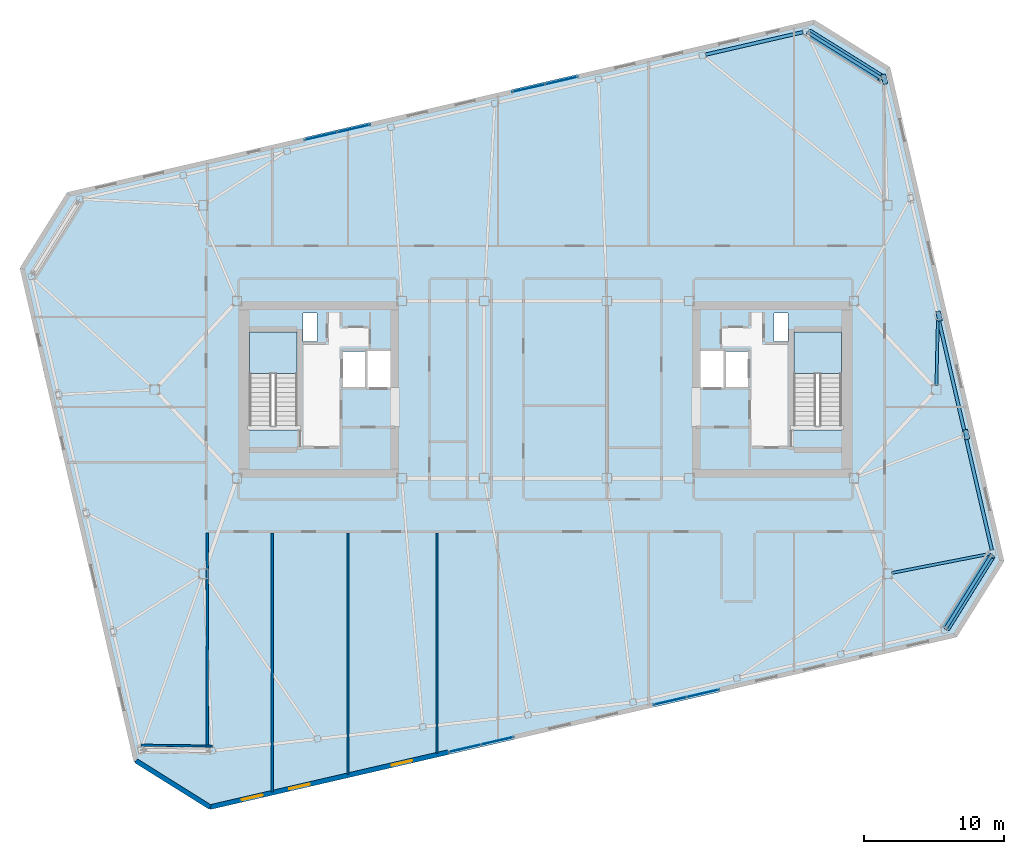
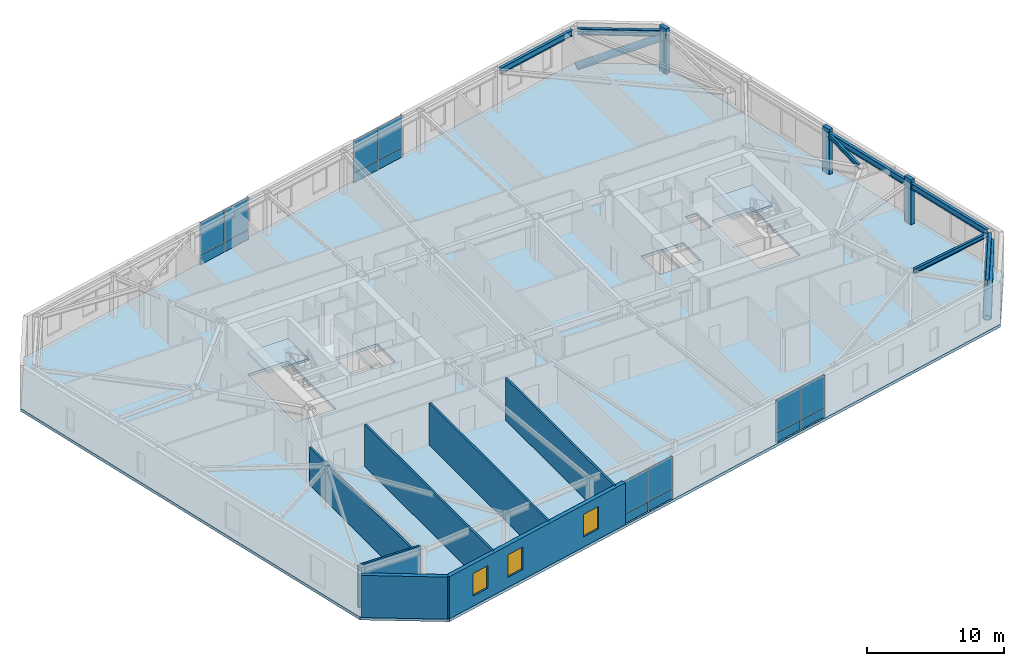
# One storey, part 15 of 23: 16 plates, 7 beams, 7 walls, 5 members, 3 slabs, 3 windows, 3 openings, 6 elements without a shape of their own.
"""IFC4 building model written with IfcOpenShell, lengths in metres."""

from ifc_helpers import new_model, si_unit, direction, frame, frame_2d, origin, origin_2d, place, context, subcontext, project, spatial, polyline, rectangle, hollow_circle, i_section, outline, extrude, material, layer, layer_set, material_profile, profile_set, type_object, element, fill, aggregate, save


model = new_model("IFC4")

# Units and contexts
model_context = context("Model", 3, precision=1e-05, world=origin(), true_north=direction((0.0, 1.0)))
body_context = subcontext(model_context, "Body", "Model", "MODEL_VIEW")
ifc_project = project(units=[si_unit("LENGTHUNIT", "METRE"), si_unit("AREAUNIT", "SQUARE_METRE"), si_unit("VOLUMEUNIT", "CUBIC_METRE"), si_unit("PLANEANGLEUNIT", "RADIAN"), si_unit("MASSUNIT", "GRAM", prefix="KILO")], contexts=[model_context])

# Site, building, storey
site_placement = place(None, origin())
site = spatial("IfcSite", under=ifc_project, at=site_placement, CompositionType="ELEMENT")
building_placement = place(site_placement, origin())
building = spatial("IfcBuilding", under=site, at=building_placement, Name="Tavrogorsk Clinical Tower", CompositionType="ELEMENT")
storey_placement = place(building_placement, frame((0.0, 0.0, 293.0)))
storey = spatial("IfcBuildingStorey", under=building, at=storey_placement, Name="L68", CompositionType="ELEMENT", Elevation=293.0)

# Members
ifc_material_1 = material(Name="Structural steel S440", Category="steel")
ifc_material_profile_1 = material_profile(ifc_material_1, hollow_circle(Radius=0.304931640625, WallThickness=0.02490234375, at=origin_2d()), Name="CHS-610x25")
ifc_profile_set_1 = profile_set([ifc_material_profile_1], Name="Structural steel S440")
member_type_1 = type_object("IfcMemberType", Name="ExoBrace_CHS610", PredefinedType="BRACE", material=ifc_profile_set_1)
for number, where, z_axis, x_axis, name in (
    (1, (28.70166015625, -17.063720703125, 0.393310546875), (0.485685891885, 0.777193135924, 0.40010004236), (-0.848027637525, 0.529952003481, 0.0), "L68 Corner Exoskeleton Brace S8-E1"),
    (2, (18.86279296875, 25.55322265625, 0.393310546875), (0.777221605895, -0.485643868835, 0.400095748531), (0.529905066536, 0.848056967697, 0.0), "L68 Corner Exoskeleton Brace E5-N1"),
):
    element("IfcMember", number, at=place(storey_placement, frame(where, z_axis=z_axis, x_axis=x_axis)), inside=storey, type_object=member_type_1, Name=name, PredefinedType="BRACE", context=body_context, shape_type="SweptSolid", body=[
        extrude(hollow_circle(Radius=0.304931640625, WallThickness=0.02490234375, at=origin_2d()), origin(), (0.0, 0.0, 1.0), 6.63232421875),
    ])

# Beams
ifc_material_2 = material(Name="Structural steel S355", Category="steel")
ifc_material_profile_2 = material_profile(ifc_material_2, i_section(OverallWidth=0.199951171875, OverallDepth=0.39990234375, WebThickness=0.010498046875, FlangeThickness=0.01611328125, at=origin_2d()), Name="B-400x200x10.5x16")
ifc_profile_set_2 = profile_set([ifc_material_profile_2], Name="Structural steel S355")
beam_type_1 = type_object("IfcBeamType", Name="FloorBeam_B400", PredefinedType="BEAM", material=ifc_profile_set_2)
beam_1_placement = place(storey_placement, frame((24.80419921875, -13.140625, 3.5400390625), z_axis=(0.981451198395, 0.191712141424, 0.0), x_axis=(-0.191712141424, 0.981451198395, 0.0)))
element("IfcBeam", 3, at=beam_1_placement, inside=storey, type_object=beam_type_1, Name="L68 Radial Floor Beam E1", PredefinedType="BEAM", context=body_context, shape_type="SweptSolid", body=[
    extrude(i_section(OverallWidth=0.199951171875, OverallDepth=0.39990234375, WebThickness=0.010498046875, FlangeThickness=0.01611328125, at=origin_2d()), origin(), (0.0, 0.0, 1.0), 7.13525390625),
])
beam_2_placement = place(storey_placement, frame((28.0068359375, 0.309814453125, 3.5400390625), z_axis=(0.022370062613, 0.999749758839, 0.0), x_axis=(-0.999749758839, 0.022370062613, 0.0)))
element("IfcBeam", 4, at=beam_2_placement, inside=storey, type_object=beam_type_1, Name="L68 Radial Floor Beam E3", PredefinedType="BEAM", context=body_context, shape_type="SweptSolid", body=[
    extrude(i_section(OverallWidth=0.199951171875, OverallDepth=0.39990234375, WebThickness=0.010498046875, FlangeThickness=0.01611328125, at=origin_2d()), origin(), (0.0, 0.0, 1.0), 4.703857421875),
])

# Members
ifc_material_3 = material(Name="Precast concrete B45 with limestone cladding", Category="masonry")
ifc_material_profile_3 = material_profile(ifc_material_3, rectangle(XDim=0.320068359375, YDim=0.719970703125, at=origin_2d()), Name="LIMESTONE-FIN-320x720")
ifc_profile_set_3 = profile_set([ifc_material_profile_3], Name="Precast concrete B45 with limestone cladding")
member_type_2 = type_object("IfcMemberType", Name="LimestonePleatFin_320x720", PredefinedType="USERDEFINED", material=ifc_profile_set_3)
for number, where, z_axis, x_axis, name in (
    (5, (30.154541015625, -3.223388671875, 0.0), (0.0, 0.0, 1.0), (0.974370064785, 0.224951054344, 0.0), "L68 E Pleated Stone Fin 1"),
    (6, (28.1953125, 5.263427734375, 0.0), (0.0, 0.0, 1.0), (0.974370064785, 0.224951054344, 0.0), "L68 E Pleated Stone Fin 2"),
    (7, (24.276611328125, 22.237060546875, 0.0), (0.0, 0.0, 1.0), (0.974370064785, 0.224951054344, 0.0), "L68 E Pleated Stone Fin 4"),
):
    element("IfcMember", number, at=place(storey_placement, frame(where, z_axis=z_axis, x_axis=x_axis)), inside=storey, type_object=member_type_2, Name=name, ObjectType="FIN", PredefinedType="USERDEFINED", context=body_context, shape_type="SweptSolid", body=[
        extrude(rectangle(XDim=0.320068359375, YDim=0.719970703125, at=origin_2d()), origin(), (0.0, 0.0, 1.0), 4.0),
    ])

# Beams
ifc_material_4 = material(Name="Structural steel S390", Category="steel")
ifc_material_profile_4 = material_profile(ifc_material_4, i_section(OverallWidth=0.239990234375, OverallDepth=0.550048828125, WebThickness=0.013916015625, FlangeThickness=0.02197265625, at=origin_2d()), Name="B-550x240x14x22")
ifc_profile_set_4 = profile_set([ifc_material_profile_4], Name="Structural steel S390")
beam_type_2 = type_object("IfcBeamType", Name="SpandrelBeam_B550", PredefinedType="SPANDREL", material=ifc_profile_set_4)
beam_3_placement = place(storey_placement, frame((28.712158203125, -17.04736328125, 3.465087890625), z_axis=(0.529904457892, 0.848057348006, 0.0), x_axis=(-0.848057348006, 0.529904457892, 0.0)))
element("IfcBeam", 8, at=beam_3_placement, inside=storey, type_object=beam_type_2, Name="L68 Perimeter Spandrel S8-E1", PredefinedType="SPANDREL", context=body_context, shape_type="SweptSolid", body=[
    extrude(i_section(OverallWidth=0.239990234375, OverallDepth=0.550048828125, WebThickness=0.013916015625, FlangeThickness=0.02197265625, at=origin_2d()), origin(), (0.0, 0.0, 1.0), 6.039306640625),
])
for number, where, z_axis, x_axis, name in (
    (9, (31.9833984375, -11.5009765625, 3.465087890625), (-0.224950345141, 0.974370228517, 0.0), (-0.974370228517, -0.224950345141, 0.0), "L68 Perimeter Spandrel E1-E2"),
    (10, (30.024169921875, -3.01416015625, 3.465087890625), (-0.224950345141, 0.974370228517, 0.0), (-0.974370228517, -0.224950345141, 0.0), "L68 Perimeter Spandrel E2-E3"),
):
    element("IfcBeam", number, at=place(storey_placement, frame(where, z_axis=z_axis, x_axis=x_axis)), inside=storey, type_object=beam_type_2, Name=name, PredefinedType="SPANDREL", context=body_context, shape_type="SweptSolid", body=[
        extrude(i_section(OverallWidth=0.239990234375, OverallDepth=0.550048828125, WebThickness=0.013916015625, FlangeThickness=0.02197265625, at=origin_2d()), origin(), (0.0, 0.0, 1.0), 8.243896484375),
    ])
beam_4_placement = place(storey_placement, frame((24.0009765625, 22.342529296875, 3.465087890625), z_axis=(-0.848057348006, 0.529904457892, 0.0), x_axis=(-0.529904457892, -0.848057348006, 0.0)))
element("IfcBeam", 11, at=beam_4_placement, inside=storey, type_object=beam_type_2, Name="L68 Perimeter Spandrel E5-N1", PredefinedType="SPANDREL", context=body_context, shape_type="SweptSolid", body=[
    extrude(i_section(OverallWidth=0.239990234375, OverallDepth=0.550048828125, WebThickness=0.013916015625, FlangeThickness=0.02197265625, at=origin_2d()), origin(), (0.0, 0.0, 1.0), 6.039306640625),
])
beam_5_placement = place(storey_placement, frame((18.45458984375, 25.61376953125, 3.465087890625), z_axis=(-0.974375120167, -0.224929155956, 0.0), x_axis=(0.224929155956, -0.974375120167, 0.0)))
element("IfcBeam", 12, at=beam_5_placement, inside=storey, type_object=beam_type_2, Name="L68 Perimeter Spandrel N1-N2", PredefinedType="SPANDREL", context=body_context, shape_type="SweptSolid", body=[
    extrude(i_section(OverallWidth=0.239990234375, OverallDepth=0.550048828125, WebThickness=0.013916015625, FlangeThickness=0.02197265625, at=origin_2d()), origin(), (0.0, 0.0, 1.0), 7.16796875),
])

# Curtain wall, plates
ifc_material_5 = material(Name="Anodised aluminium and triple IGU glazing", Category="aluminium")
ifc_layer_1 = layer(ifc_material_5, 0.179931640625)
ifc_layer_set_1 = layer_set([ifc_layer_1], Name="Anodised aluminium and triple IGU glazing")
curtain_wall_type_1 = type_object("IfcCurtainWallType", Name="CW3_SouthSlot", PredefinedType="NOTDEFINED", material=ifc_layer_set_1)
curtain_wall_1_placement = place(storey_placement, origin())
curtain_wall_1 = element("IfcCurtainWall", 13, at=curtain_wall_1_placement, inside=storey, type_object=curtain_wall_type_1, Name="L68 Curtain Wall CW-L68-S-SLOT-1", PredefinedType="NOTDEFINED")
ifc_material_6 = material(Name="Honed Podolsk limestone spandrel panel", Category="masonry")
ifc_layer_2 = layer(ifc_material_6, 0.080078125)
ifc_layer_set_2 = layer_set([ifc_layer_2], Name="Honed Podolsk limestone spandrel panel")
plate_type_1 = type_object("IfcPlateType", Name="CwSpandrelStonePanel_80", PredefinedType="CURTAIN_PANEL", material=ifc_layer_set_2)
plate_1_placement = place(storey_placement, frame((-5.810546875, -25.7099609375, 0.001953125), z_axis=(0.0, 0.0, 1.0), x_axis=(0.974370057377, 0.224951086434, 0.0)))
plate_1 = element("IfcPlate", 14, at=plate_1_placement, type_object=plate_type_1, Name="CW-L68-S-SLOT-1 Stone Spandrel Panel 1", PredefinedType="CURTAIN_PANEL", context=body_context, shape_type="SweptSolid", body=[
    extrude(rectangle(XDim=2.39208984375, YDim=0.080078125, at=origin_2d()), origin(), (0.0, 0.0, 1.0), 0.8359375),
])
plate_2_placement = place(storey_placement, frame((-3.45654296875, -25.16650390625, 0.001953125), z_axis=(0.0, 0.0, 1.0), x_axis=(0.974370057377, 0.224951086434, 0.0)))
plate_2 = element("IfcPlate", 15, at=plate_2_placement, type_object=plate_type_1, Name="CW-L68-S-SLOT-1 Stone Spandrel Panel 2", PredefinedType="CURTAIN_PANEL", context=body_context, shape_type="SweptSolid", body=[
    extrude(rectangle(XDim=2.39208984375, YDim=0.080078125, at=origin_2d()), origin(), (0.0, 0.0, 1.0), 0.8359375),
])

curtain_wall_2_placement = place(storey_placement, origin())
curtain_wall_2 = element("IfcCurtainWall", 16, at=curtain_wall_2_placement, inside=storey, type_object=curtain_wall_type_1, Name="L68 Curtain Wall CW-L68-S-SLOT-2", PredefinedType="NOTDEFINED")
plate_3_placement = place(storey_placement, frame((8.9296875, -22.306884765625, 0.001953125), z_axis=(0.0, 0.0, 1.0), x_axis=(0.974370057377, 0.224951086434, 0.0)))
plate_3 = element("IfcPlate", 17, at=plate_3_placement, type_object=plate_type_1, Name="CW-L68-S-SLOT-2 Stone Spandrel Panel 1", PredefinedType="CURTAIN_PANEL", context=body_context, shape_type="SweptSolid", body=[
    extrude(rectangle(XDim=2.39208984375, YDim=0.080078125, at=origin_2d()), origin(), (0.0, 0.0, 1.0), 0.8359375),
])
plate_4_placement = place(storey_placement, frame((11.28369140625, -21.763427734375, 0.001953125), z_axis=(0.0, 0.0, 1.0), x_axis=(0.974370057377, 0.224951086434, 0.0)))
plate_4 = element("IfcPlate", 18, at=plate_4_placement, type_object=plate_type_1, Name="CW-L68-S-SLOT-2 Stone Spandrel Panel 2", PredefinedType="CURTAIN_PANEL", context=body_context, shape_type="SweptSolid", body=[
    extrude(rectangle(XDim=2.39208984375, YDim=0.080078125, at=origin_2d()), origin(), (0.0, 0.0, 1.0), 0.8359375),
])

ifc_material_7 = material(Name="Anodised aluminium and triple IGU glazing", Category="aluminium")
ifc_layer_3 = layer(ifc_material_7, 0.179931640625)
ifc_layer_set_3 = layer_set([ifc_layer_3], Name="Anodised aluminium and triple IGU glazing")
curtain_wall_type_2 = type_object("IfcCurtainWallType", Name="CW2_NorthSlot", PredefinedType="NOTDEFINED", material=ifc_layer_set_3)
curtain_wall_3_placement = place(storey_placement, origin())
curtain_wall_3 = element("IfcCurtainWall", 19, at=curtain_wall_3_placement, inside=storey, type_object=curtain_wall_type_2, Name="L68 Curtain Wall CW-L68-N-SLOT-1", PredefinedType="NOTDEFINED")
plate_5_placement = place(storey_placement, frame((-13.729736328125, 18.70703125, 0.001953125), z_axis=(0.0, 0.0, 1.0), x_axis=(-0.974370057377, -0.224951086434, 0.0)))
plate_5 = element("IfcPlate", 20, at=plate_5_placement, type_object=plate_type_1, Name="CW-L68-N-SLOT-1 Stone Spandrel Panel 1", PredefinedType="CURTAIN_PANEL", context=body_context, shape_type="SweptSolid", body=[
    extrude(rectangle(XDim=2.39208984375, YDim=0.080078125, at=origin_2d()), origin(), (0.0, 0.0, 1.0), 0.8359375),
])
plate_6_placement = place(storey_placement, frame((-16.083740234375, 18.16357421875, 0.001953125), z_axis=(0.0, 0.0, 1.0), x_axis=(-0.974370057377, -0.224951086434, 0.0)))
plate_6 = element("IfcPlate", 21, at=plate_6_placement, type_object=plate_type_1, Name="CW-L68-N-SLOT-1 Stone Spandrel Panel 2", PredefinedType="CURTAIN_PANEL", context=body_context, shape_type="SweptSolid", body=[
    extrude(rectangle(XDim=2.39208984375, YDim=0.080078125, at=origin_2d()), origin(), (0.0, 0.0, 1.0), 0.8359375),
])

curtain_wall_4_placement = place(storey_placement, origin())
curtain_wall_4 = element("IfcCurtainWall", 22, at=curtain_wall_4_placement, inside=storey, type_object=curtain_wall_type_2, Name="L68 Curtain Wall CW-L68-N-SLOT-2", PredefinedType="NOTDEFINED")
plate_7_placement = place(storey_placement, frame((1.1474609375, 22.1416015625, 0.001953125), z_axis=(0.0, 0.0, 1.0), x_axis=(-0.974370092441, -0.224950934554, 0.0)))
plate_7 = element("IfcPlate", 23, at=plate_7_placement, type_object=plate_type_1, Name="CW-L68-N-SLOT-2 Stone Spandrel Panel 1", PredefinedType="CURTAIN_PANEL", context=body_context, shape_type="SweptSolid", body=[
    extrude(rectangle(XDim=2.39208984375, YDim=0.080078125, at=origin_2d()), origin(), (0.0, 0.0, 1.0), 0.8359375),
])
plate_8_placement = place(storey_placement, frame((-1.20654296875, 21.59814453125, 0.001953125), z_axis=(0.0, 0.0, 1.0), x_axis=(-0.974370092441, -0.224950934554, 0.0)))
plate_8 = element("IfcPlate", 24, at=plate_8_placement, type_object=plate_type_1, Name="CW-L68-N-SLOT-2 Stone Spandrel Panel 2", PredefinedType="CURTAIN_PANEL", context=body_context, shape_type="SweptSolid", body=[
    extrude(rectangle(XDim=2.39208984375, YDim=0.080078125, at=origin_2d()), origin(), (0.0, 0.0, 1.0), 0.8359375),
])

# Plate
ifc_material_8 = material(Name="Triple low-E argon insulated glass", Category="glass")
ifc_layer_4 = layer(ifc_material_8, 0.048095703125)
ifc_layer_set_4 = layer_set([ifc_layer_4], Name="Triple low-E argon insulated glass")
plate_type_2 = type_object("IfcPlateType", Name="CwVisionGlassPanel_48", PredefinedType="CURTAIN_PANEL", material=ifc_layer_set_4)
plate_9_placement = place(storey_placement, frame((-5.810546875, -25.7099609375, 0.862060546875), z_axis=(0.0, 0.0, 1.0), x_axis=(0.974370057377, 0.224951086434, 0.0)))
plate_9 = element("IfcPlate", 25, at=plate_9_placement, type_object=plate_type_2, Name="CW-L68-S-SLOT-1 Glazing Panel 1", PredefinedType="CURTAIN_PANEL", context=body_context, shape_type="SweptSolid", body=[
    extrude(rectangle(XDim=2.39208984375, YDim=0.048095703125, at=origin_2d()), origin(), (0.0, 0.0, 1.0), 2.8759765625),
])

plate_10_placement = place(storey_placement, frame((-3.45654296875, -25.16650390625, 0.862060546875), z_axis=(0.0, 0.0, 1.0), x_axis=(0.974370057377, 0.224951086434, 0.0)))
plate_10 = element("IfcPlate", 26, at=plate_10_placement, type_object=plate_type_2, Name="CW-L68-S-SLOT-1 Glazing Panel 2", PredefinedType="CURTAIN_PANEL", context=body_context, shape_type="SweptSolid", body=[
    extrude(rectangle(XDim=2.39208984375, YDim=0.048095703125, at=origin_2d()), origin(), (0.0, 0.0, 1.0), 2.8759765625),
])

aggregate(curtain_wall_1, [plate_1, plate_9, plate_2, plate_10])

plate_11_placement = place(storey_placement, frame((8.9296875, -22.306884765625, 0.862060546875), z_axis=(0.0, 0.0, 1.0), x_axis=(0.974370057377, 0.224951086434, 0.0)))
plate_11 = element("IfcPlate", 27, at=plate_11_placement, type_object=plate_type_2, Name="CW-L68-S-SLOT-2 Glazing Panel 1", PredefinedType="CURTAIN_PANEL", context=body_context, shape_type="SweptSolid", body=[
    extrude(rectangle(XDim=2.39208984375, YDim=0.048095703125, at=origin_2d()), origin(), (0.0, 0.0, 1.0), 2.8759765625),
])

plate_12_placement = place(storey_placement, frame((11.28369140625, -21.763427734375, 0.862060546875), z_axis=(0.0, 0.0, 1.0), x_axis=(0.974370057377, 0.224951086434, 0.0)))
plate_12 = element("IfcPlate", 28, at=plate_12_placement, type_object=plate_type_2, Name="CW-L68-S-SLOT-2 Glazing Panel 2", PredefinedType="CURTAIN_PANEL", context=body_context, shape_type="SweptSolid", body=[
    extrude(rectangle(XDim=2.39208984375, YDim=0.048095703125, at=origin_2d()), origin(), (0.0, 0.0, 1.0), 2.8759765625),
])

aggregate(curtain_wall_2, [plate_3, plate_11, plate_4, plate_12])

plate_13_placement = place(storey_placement, frame((-13.729736328125, 18.70703125, 0.862060546875), z_axis=(0.0, 0.0, 1.0), x_axis=(-0.974370057377, -0.224951086434, 0.0)))
plate_13 = element("IfcPlate", 29, at=plate_13_placement, type_object=plate_type_2, Name="CW-L68-N-SLOT-1 Glazing Panel 1", PredefinedType="CURTAIN_PANEL", context=body_context, shape_type="SweptSolid", body=[
    extrude(rectangle(XDim=2.39208984375, YDim=0.048095703125, at=origin_2d()), origin(), (0.0, 0.0, 1.0), 2.8759765625),
])

plate_14_placement = place(storey_placement, frame((-16.083740234375, 18.16357421875, 0.862060546875), z_axis=(0.0, 0.0, 1.0), x_axis=(-0.974370057377, -0.224951086434, 0.0)))
plate_14 = element("IfcPlate", 30, at=plate_14_placement, type_object=plate_type_2, Name="CW-L68-N-SLOT-1 Glazing Panel 2", PredefinedType="CURTAIN_PANEL", context=body_context, shape_type="SweptSolid", body=[
    extrude(rectangle(XDim=2.39208984375, YDim=0.048095703125, at=origin_2d()), origin(), (0.0, 0.0, 1.0), 2.8759765625),
])

aggregate(curtain_wall_3, [plate_5, plate_13, plate_6, plate_14])

plate_15_placement = place(storey_placement, frame((1.1474609375, 22.1416015625, 0.862060546875), z_axis=(0.0, 0.0, 1.0), x_axis=(-0.974370092441, -0.224950934554, 0.0)))
plate_15 = element("IfcPlate", 31, at=plate_15_placement, type_object=plate_type_2, Name="CW-L68-N-SLOT-2 Glazing Panel 1", PredefinedType="CURTAIN_PANEL", context=body_context, shape_type="SweptSolid", body=[
    extrude(rectangle(XDim=2.39208984375, YDim=0.048095703125, at=origin_2d()), origin(), (0.0, 0.0, 1.0), 2.8759765625),
])

plate_16_placement = place(storey_placement, frame((-1.20654296875, 21.59814453125, 0.862060546875), z_axis=(0.0, 0.0, 1.0), x_axis=(-0.974370092441, -0.224950934554, 0.0)))
plate_16 = element("IfcPlate", 32, at=plate_16_placement, type_object=plate_type_2, Name="CW-L68-N-SLOT-2 Glazing Panel 2", PredefinedType="CURTAIN_PANEL", context=body_context, shape_type="SweptSolid", body=[
    extrude(rectangle(XDim=2.39208984375, YDim=0.048095703125, at=origin_2d()), origin(), (0.0, 0.0, 1.0), 2.8759765625),
])

aggregate(curtain_wall_4, [plate_7, plate_15, plate_8, plate_16])

# Stair, slab
ifc_material_9 = material(Name="Concrete B60", Category="concrete")
stair_type = type_object("IfcStairType", Name="CoreStairAssembly", PredefinedType="HALF_TURN_STAIR", material=ifc_material_9)
stair_1_placement = place(storey_placement, origin())
stair_1 = element("IfcStair", 33, at=stair_1_placement, inside=storey, type_object=stair_type, Name="L68 ST-W", PredefinedType="HALF_TURN_STAIR")
ifc_material_10 = material(Name="Concrete B60", Category="concrete")
ifc_layer_5 = layer(ifc_material_10, 0.199951171875)
ifc_layer_set_5 = layer_set([ifc_layer_5], Name="Concrete B60")
slab_type_1 = type_object("IfcSlabType", Name="StairLanding_200", PredefinedType="LANDING", material=ifc_layer_set_5)
slab_1_placement = place(storey_placement, frame((0.0, 0.0, 1.800048828125)))
slab_1 = element("IfcSlab", 34, at=slab_1_placement, type_object=slab_type_1, Name="ST-W landing 1", PredefinedType="LANDING", context=body_context, shape_type="SweptSolid", body=[
    extrude(outline(polyline([(-17.800048828125, 1.1650390625), (-17.800048828125, 4.125), (-21.199951171875, 4.125), (-21.199951171875, 1.1650390625), (-17.800048828125, 1.1650390625)])), origin(), (0.0, 0.0, 1.0), 0.199951171875),
])
aggregate(stair_1, [slab_1])

stair_2_placement = place(storey_placement, origin())
stair_2 = element("IfcStair", 35, at=stair_2_placement, inside=storey, type_object=stair_type, Name="L68 ST-E", PredefinedType="HALF_TURN_STAIR")
slab_2_placement = place(storey_placement, frame((0.0, 0.0, 1.800048828125)))
slab_2 = element("IfcSlab", 36, at=slab_2_placement, type_object=slab_type_1, Name="ST-E landing 1", PredefinedType="LANDING", context=body_context, shape_type="SweptSolid", body=[
    extrude(outline(polyline([(21.199951171875, 1.1650390625), (21.199951171875, 4.125), (17.800048828125, 4.125), (17.800048828125, 1.1650390625), (21.199951171875, 1.1650390625)])), origin(), (0.0, 0.0, 1.0), 0.199951171875),
])
aggregate(stair_2, [slab_2])

# Slab
ifc_material_11 = material(Name="Concrete B60", Category="concrete")
ifc_layer_6 = layer(ifc_material_11, 0.260009765625)
ifc_layer_set_6 = layer_set([ifc_layer_6], Name="Concrete B60")
slab_type_2 = type_object("IfcSlabType", Name="WardSlab_260", PredefinedType="FLOOR", material=ifc_layer_set_6)
slab_3_placement = place(storey_placement, frame((0.0, 0.0, -0.260009765625)))
element("IfcSlab", 37, at=slab_3_placement, inside=storey, type_object=slab_type_2, Name="L68 Structural Slab", PredefinedType="FLOOR", context=body_context, shape_type="SweptSolid", body=[
    extrude(outline(polyline([(-23.991455078125, -30.081787109375), (29.404052734375, -17.75439453125), (32.8515625, -12.23779296875), (24.708251953125, 23.034423828125), (19.19140625, 26.48193359375), (-34.2041015625, 14.154541015625), (-37.651611328125, 8.6376953125), (-29.50830078125, -26.634521484375), (-23.991455078125, -30.081787109375)]), holes=[polyline([(-17.800048828125, -2.8798828125), (-17.800048828125, 4.125), (-21.199951171875, 4.125), (-21.199951171875, -2.8798828125), (-17.800048828125, -2.8798828125)]), polyline([(21.199951171875, -2.8798828125), (21.199951171875, 4.125), (17.800048828125, 4.125), (17.800048828125, -2.8798828125), (21.199951171875, -2.8798828125)]), polyline([(-14.6201171875, 0.169921875), (-12.860107421875, 0.169921875), (-12.860107421875, 2.72998046875), (-14.6201171875, 2.72998046875), (-14.6201171875, 0.169921875)]), polyline([(-12.840087890625, 0.1201171875), (-11.080078125, 0.1201171875), (-11.080078125, 2.780029296875), (-12.840087890625, 2.780029296875), (-12.840087890625, 0.1201171875)]), polyline([(12.860107421875, 0.169921875), (14.6201171875, 0.169921875), (14.6201171875, 2.72998046875), (12.860107421875, 2.72998046875), (12.860107421875, 0.169921875)]), polyline([(11.080078125, 0.1201171875), (12.840087890625, 0.1201171875), (12.840087890625, 2.780029296875), (11.080078125, 2.780029296875), (11.080078125, 0.1201171875)]), polyline([(-17.3798828125, 3.449951171875), (-16.3798828125, 3.449951171875), (-16.3798828125, 5.5), (-17.3798828125, 5.5), (-17.3798828125, 3.449951171875)]), polyline([(16.3798828125, 3.449951171875), (17.3798828125, 3.449951171875), (17.3798828125, 5.5), (16.3798828125, 5.5), (16.3798828125, 3.449951171875)])]), origin(), (0.0, 0.0, 1.0), 0.260009765625),
])

# Walls
ifc_material_12 = material(Name="Lightweight concrete blockwork B15", Category="masonry")
ifc_layer_7 = layer(ifc_material_12, 0.159912109375)
ifc_layer_set_7 = layer_set([ifc_layer_7], Name="Lightweight concrete blockwork B15")
wall_type_1 = type_object("IfcWallType", Name="PartitionWall_160", PredefinedType="PARTITIONING", material=ifc_layer_set_7)
wall_1_placement = place(storey_placement, frame((-28.994140625, -25.47900390625, 0.0), z_axis=(0.0, 0.0, 1.0), x_axis=(0.999915052546, -0.01303409726, 0.0)))
element("IfcWall", 38, at=wall_1_placement, inside=storey, type_object=wall_type_1, Name="L68 Corner Exoskeleton Brace Furring Wall 4", PredefinedType="PARTITIONING", context=body_context, shape_type="SweptSolid", body=[
    extrude(rectangle(XDim=5.13232421875, YDim=0.159912109375, at=frame_2d((2.566162109375, 0.0))), origin(), (0.0, 0.0, 1.0), 3.739990234375),
])
wall_2_placement = place(storey_placement, frame((-24.22998046875, -25.535888671875, 0.0), z_axis=(0.0, 0.0, 1.0), x_axis=(0.0, 1.0, 0.0)))
element("IfcWall", 39, at=wall_2_placement, inside=storey, type_object=wall_type_1, Name="L68 SW Wing Closure Partition", PredefinedType="PARTITIONING", context=body_context, shape_type="SweptSolid", body=[
    extrude(rectangle(XDim=15.27099609375, YDim=0.159912109375, at=frame_2d((7.635498046875, 0.0))), origin(), (0.0, 0.0, 1.0), 3.3349609375),
])
wall_3_placement = place(storey_placement, frame((-19.580078125, -28.817138671875, 0.0), z_axis=(0.0, 0.0, 1.0), x_axis=(0.0, 1.0, 0.0)))
element("IfcWall", 40, at=wall_3_placement, inside=storey, type_object=wall_type_1, Name="L68 South Room Partition 1", PredefinedType="PARTITIONING", context=body_context, shape_type="SweptSolid", body=[
    extrude(rectangle(XDim=18.55224609375, YDim=0.159912109375, at=frame_2d((9.276123046875, 0.0))), origin(), (0.0, 0.0, 1.0), 3.739990234375),
])
wall_4_placement = place(storey_placement, frame((-14.159912109375, -27.56591796875, 0.0), z_axis=(0.0, 0.0, 1.0), x_axis=(0.0, 1.0, 0.0)))
element("IfcWall", 41, at=wall_4_placement, inside=storey, type_object=wall_type_1, Name="L68 South Room Partition 2", PredefinedType="PARTITIONING", context=body_context, shape_type="SweptSolid", body=[
    extrude(rectangle(XDim=17.301025390625, YDim=0.159912109375, at=frame_2d((8.650390625, 0.0))), origin(), (0.0, 0.0, 1.0), 3.739990234375),
])
wall_5_placement = place(storey_placement, frame((-7.77001953125, -26.090576171875, 0.0), z_axis=(0.0, 0.0, 1.0), x_axis=(0.0, 1.0, 0.0)))
element("IfcWall", 42, at=wall_5_placement, inside=storey, type_object=wall_type_1, Name="L68 South Sub-Partition 3", PredefinedType="PARTITIONING", context=body_context, shape_type="SweptSolid", body=[
    extrude(rectangle(XDim=15.82568359375, YDim=0.159912109375, at=frame_2d((7.912841796875, 0.0))), origin(), (0.0, 0.0, 1.0), 3.739990234375),
])

# Wall, openings, windows
ifc_material_13 = material(Name="Precast concrete B45 with limestone cladding", Category="masonry")
ifc_layer_8 = layer(ifc_material_13, 0.340087890625)
ifc_layer_set_8 = layer_set([ifc_layer_8], Name="Precast concrete B45 with limestone cladding")
wall_type_2 = type_object("IfcWallType", Name="PrecastLimestoneWall_340", PredefinedType="STANDARD", material=ifc_layer_set_8)
wall_6_placement = place(storey_placement, frame((-24.029541015625, -29.916259765625, 0.0), z_axis=(0.0, 0.0, 1.0), x_axis=(0.974370978061, 0.224947098473, 0.0)))
wall_6 = element("IfcWall", 43, at=wall_6_placement, inside=storey, type_object=wall_type_2, Name="L68 S Limestone Facade Wall 1", PredefinedType="STANDARD", context=body_context, shape_type="SweptSolid", body=[
    extrude(rectangle(XDim=17.50634765625, YDim=0.340087890625, at=frame_2d((8.753173828125, 0.0))), origin(), (0.0, 0.0, 1.0), 3.739990234375),
])
opening_1_placement = place(wall_6_placement, frame((2.35009765625, 0.0, 0.89990234375)))
opening_1 = element("IfcOpeningElement", 44, at=opening_1_placement, cuts=wall_6, Name="Opening WN-05", PredefinedType="OPENING", context=body_context, shape_type="SweptSolid", body=[
    extrude(rectangle(XDim=1.5, YDim=2.0, at=frame_2d((0.75, 1.0))), frame((0.0, 0.179931640625, 0.0), z_axis=(0.0, -1.0, 0.0), x_axis=(1.0, 0.0, 0.0)), (0.0, 0.0, 1.0), 0.360107421875),
])
opening_2_placement = place(wall_6_placement, frame((5.81689453125, 0.0, 0.89990234375)))
opening_2 = element("IfcOpeningElement", 45, at=opening_2_placement, cuts=wall_6, Name="Opening WN-05", PredefinedType="OPENING", context=body_context, shape_type="SweptSolid", body=[
    extrude(rectangle(XDim=1.5, YDim=2.0, at=frame_2d((0.75, 1.0))), frame((0.0, 0.179931640625, 0.0), z_axis=(0.0, -1.0, 0.0), x_axis=(1.0, 0.0, 0.0)), (0.0, 0.0, 1.0), 0.360107421875),
])
opening_3_placement = place(wall_6_placement, frame((13.353271484375, 0.0, 0.89990234375)))
opening_3 = element("IfcOpeningElement", 46, at=opening_3_placement, cuts=wall_6, Name="Opening WN-05", PredefinedType="OPENING", context=body_context, shape_type="SweptSolid", body=[
    extrude(rectangle(XDim=1.5, YDim=2.0, at=frame_2d((0.75, 1.0))), frame((0.0, 0.179931640625, 0.0), z_axis=(0.0, -1.0, 0.0), x_axis=(1.0, 0.0, 0.0)), (0.0, 0.0, 1.0), 0.360107421875),
])
ifc_material_14 = material(Name="Thermally broken aluminium frame and triple IGU", Category="aluminium")
window_type = type_object("IfcWindowType", Name="ConsultWin_1500x2000", PartitioningType="SINGLE_PANEL", PredefinedType="WINDOW", material=ifc_material_14)
window_1_placement = place(opening_1_placement, origin())
window_1 = element("IfcWindow", 47, at=window_1_placement, inside=storey, type_object=window_type, Name="L68 S Chicago Window 01", OverallHeight=2.0, OverallWidth=1.5, PartitioningType="SINGLE_PANEL", PredefinedType="WINDOW", context=body_context, shape_type="SweptSolid", body=[
    extrude(rectangle(XDim=1.5, YDim=2.0, at=frame_2d((0.75, 1.0))), frame((0.0, 0.030029296875, 0.0), z_axis=(0.0, -1.0, 0.0), x_axis=(1.0, 0.0, 0.0)), (0.0, 0.0, 1.0), 0.06005859375),
])
fill(opening_1, window_1)
window_2_placement = place(opening_2_placement, origin())
window_2 = element("IfcWindow", 48, at=window_2_placement, inside=storey, type_object=window_type, Name="L68 S Chicago Window 02", OverallHeight=2.0, OverallWidth=1.5, PartitioningType="SINGLE_PANEL", PredefinedType="WINDOW", context=body_context, shape_type="SweptSolid", body=[
    extrude(rectangle(XDim=1.5, YDim=2.0, at=frame_2d((0.75, 1.0))), frame((0.0, 0.030029296875, 0.0), z_axis=(0.0, -1.0, 0.0), x_axis=(1.0, 0.0, 0.0)), (0.0, 0.0, 1.0), 0.06005859375),
])
fill(opening_2, window_2)
window_3_placement = place(opening_3_placement, origin())
window_3 = element("IfcWindow", 49, at=window_3_placement, inside=storey, type_object=window_type, Name="L68 S Chicago Window 04", OverallHeight=2.0, OverallWidth=1.5, PartitioningType="SINGLE_PANEL", PredefinedType="WINDOW", context=body_context, shape_type="SweptSolid", body=[
    extrude(rectangle(XDim=1.5, YDim=2.0, at=frame_2d((0.75, 1.0))), frame((0.0, 0.030029296875, 0.0), z_axis=(0.0, -1.0, 0.0), x_axis=(1.0, 0.0, 0.0)), (0.0, 0.0, 1.0), 0.06005859375),
])
fill(opening_3, window_3)

# Wall
wall_7_placement = place(storey_placement, frame((-29.342529296875, -26.59619140625, 0.0), z_axis=(0.0, 0.0, 1.0), x_axis=(0.848037708252, -0.529935887993, 0.0)))
element("IfcWall", 50, at=wall_7_placement, inside=storey, type_object=wall_type_2, Name="L68 Chamfered Corner Wall 4", PredefinedType="STANDARD", context=body_context, shape_type="SweptSolid", body=[
    extrude(rectangle(XDim=6.26513671875, YDim=0.340087890625, at=frame_2d((3.132568359375, 0.0))), origin(), (0.0, 0.0, 1.0), 3.739990234375),
])

save(model, "model.ifc")
